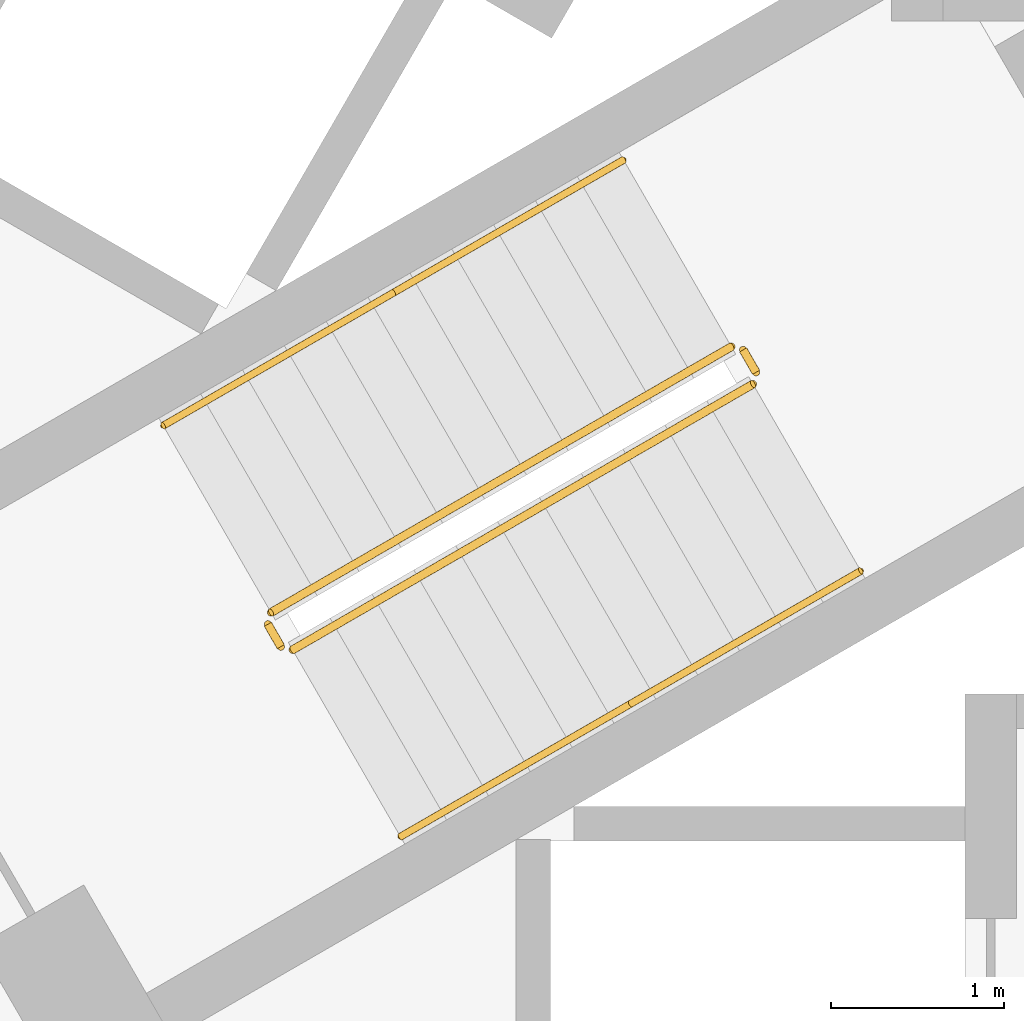
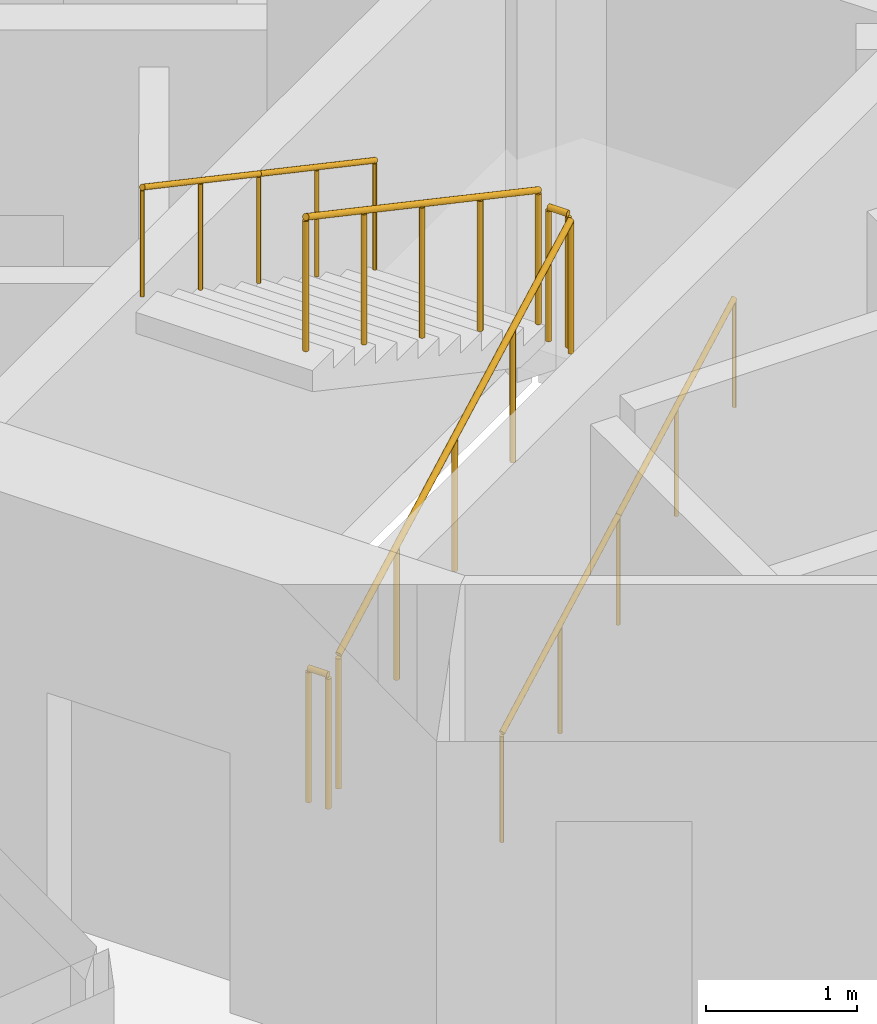
# One storey, part 10 of 14: 8 railings.
"""IFC4 building model written with IfcOpenShell, lengths in metres."""

from ifc_helpers import new_model, si_unit, direction, frame, origin, origin_2d, place, context, subcontext, project, spatial, circle, extrude, material, type_object, element, save


model = new_model("IFC4")

# Units and contexts
model_context = context("Model", 3, precision=1e-05, world=origin(), true_north=direction((0.0, 1.0)))
body_context = subcontext(model_context, "Body", "Model", "MODEL_VIEW")
ifc_project = project(units=[si_unit("LENGTHUNIT", "METRE"), si_unit("AREAUNIT", "SQUARE_METRE"), si_unit("VOLUMEUNIT", "CUBIC_METRE"), si_unit("PLANEANGLEUNIT", "RADIAN"), si_unit("MASSUNIT", "GRAM", prefix="KILO")], contexts=[model_context])

# Site, building, storey
site_placement = place(None, origin())
site = spatial("IfcSite", under=ifc_project, at=site_placement, CompositionType="ELEMENT")
building_placement = place(site_placement, origin())
building = spatial("IfcBuilding", under=site, at=building_placement, Name="Trine Commons Tower", CompositionType="ELEMENT")
storey_placement = place(building_placement, frame((0.0, 0.0, 245.699951171875)))
storey = spatial("IfcBuildingStorey", under=building, at=storey_placement, Name="L64", CompositionType="ELEMENT", Elevation=245.699951171875)

# Railings
ifc_material_1 = material(Name="Stainless steel balustrade", Category="steel")
railing_type_1 = type_object("IfcRailingType", Name="Stair guard, steel balustrade 1100", PredefinedType="GUARDRAIL", material=ifc_material_1)
railing_1_placement = place(storey_placement, frame((74.80517578125, 59.3564453125, 0.150146484375)))
element("IfcRailing", 1, at=railing_1_placement, inside=storey, type_object=railing_type_1, Name="L64 ST2C stair guard 1", PredefinedType="GUARDRAIL", context=body_context, shape_type="SweptSolid", body=[
    extrude(circle(Radius=0.02392578125, at=origin_2d()), frame((0.0, 0.0, 1.076171875), z_axis=(0.76340495495, 0.440743040072, 0.472184759798), x_axis=(-0.499992328818, 0.866029832698, 0.0)), (0.0, 0.0, 1.0), 3.494140625),
    extrude(circle(Radius=0.02099609375, at=origin_2d()), origin(), (0.0, 0.0, 1.0), 1.052001953125),
    extrude(circle(Radius=0.02099609375, at=origin_2d()), frame((0.6669921875, 0.385009765625, 0.41259765625)), (0.0, 0.0, 1.0), 1.052001953125),
    extrude(circle(Radius=0.02099609375, at=origin_2d()), frame((1.333740234375, 0.77001953125, 0.824951171875)), (0.0, 0.0, 1.0), 1.052001953125),
    extrude(circle(Radius=0.02099609375, at=origin_2d()), frame((2.00048828125, 1.155029296875, 1.2373046875)), (0.0, 0.0, 1.0), 1.052001953125),
    extrude(circle(Radius=0.02099609375, at=origin_2d()), frame((2.66748046875, 1.5400390625, 1.64990234375)), (0.0, 0.0, 1.0), 1.052001953125),
])
railing_2_placement = place(storey_placement, frame((77.490966796875, 60.96484375, 1.800048828125)))
element("IfcRailing", 2, at=railing_2_placement, inside=storey, type_object=railing_type_1, Name="L64 ST2C stair guard 2", PredefinedType="GUARDRAIL", context=body_context, shape_type="SweptSolid", body=[
    extrude(circle(Radius=0.02392578125, at=origin_2d()), frame((0.0, 0.0, 1.076171875), z_axis=(-0.501036270542, 0.865426285481, 0.0), x_axis=(-0.865426285481, -0.501036270542, 0.0)), (0.0, 0.0, 1.0), 0.150146484375),
    extrude(circle(Radius=0.02099609375, at=origin_2d()), origin(), (0.0, 0.0, 1.0), 1.052001953125),
    extrude(circle(Radius=0.02099609375, at=origin_2d()), frame((-0.0751953125, 0.1298828125, 0.0)), (0.0, 0.0, 1.0), 1.052001953125),
])
railing_3_placement = place(storey_placement, frame((77.34765625, 61.113037109375, 1.949951171875)))
element("IfcRailing", 3, at=railing_3_placement, inside=storey, type_object=railing_type_1, Name="L64 ST2C stair guard 3", PredefinedType="GUARDRAIL", context=body_context, shape_type="SweptSolid", body=[
    extrude(circle(Radius=0.02392578125, at=origin_2d()), frame((0.0, 0.0, 1.076171875), z_axis=(-0.763379768245, -0.440728498818, 0.472239049384), x_axis=(0.499992328818, -0.866029832698, 0.0)), (0.0, 0.0, 1.0), 3.494384765625),
    extrude(circle(Radius=0.02099609375, at=origin_2d()), origin(), (0.0, 0.0, 1.0), 1.052001953125),
    extrude(circle(Radius=0.02099609375, at=origin_2d()), frame((-0.6669921875, -0.385009765625, 0.41259765625)), (0.0, 0.0, 1.0), 1.052001953125),
    extrude(circle(Radius=0.02099609375, at=origin_2d()), frame((-1.333740234375, -0.77001953125, 0.8251953125)), (0.0, 0.0, 1.0), 1.052001953125),
    extrude(circle(Radius=0.02099609375, at=origin_2d()), frame((-2.00048828125, -1.155029296875, 1.237548828125)), (0.0, 0.0, 1.0), 1.052001953125),
    extrude(circle(Radius=0.02099609375, at=origin_2d()), frame((-2.66748046875, -1.5400390625, 1.650146484375)), (0.0, 0.0, 1.0), 1.052001953125),
])
railing_4_placement = place(storey_placement, frame((74.73681640625, 59.374755859375, 0.0)))
element("IfcRailing", 4, at=railing_4_placement, inside=storey, type_object=railing_type_1, Name="L64 ST2C stair guard 4", PredefinedType="GUARDRAIL", context=body_context, shape_type="SweptSolid", body=[
    extrude(circle(Radius=0.02392578125, at=origin_2d()), frame((0.0, 0.0, 1.076171875), z_axis=(-0.499816412211, 0.866131372301, 0.0), x_axis=(-0.866131372301, -0.499816412211, 0.0)), (0.0, 0.0, 1.0), 0.14990234375),
    extrude(circle(Radius=0.02099609375, at=origin_2d()), origin(), (0.0, 0.0, 1.0), 1.052001953125),
    extrude(circle(Radius=0.02099609375, at=origin_2d()), frame((-0.074951171875, 0.1298828125, 0.0)), (0.0, 0.0, 1.0), 1.052001953125),
])
ifc_material_2 = material(Name="Stainless steel handrail", Category="steel")
railing_type_2 = type_object("IfcRailingType", Name="Stair handrail, steel 900", PredefinedType="HANDRAIL", material=ifc_material_2)
for number, where, name in (
    (5, (75.43017578125, 58.27392578125, 0.150146484375), "L64 ST2C stair handrail 1"),
    (6, (76.763916015625, 59.0439453125, 0.97509765625), "L64 ST2C stair handrail 2"),
):
    element("IfcRailing", number, at=place(storey_placement, frame(where)), inside=storey, type_object=railing_type_2, Name=name, PredefinedType="HANDRAIL", context=body_context, shape_type="SweptSolid", body=[
        extrude(circle(Radius=0.02099609375, at=origin_2d()), frame((0.0, 0.0, 0.87890625), z_axis=(0.76340495495, 0.440743040072, 0.472184759798), x_axis=(-0.499992328818, 0.866029832698, 0.0)), (0.0, 0.0, 1.0), 1.7470703125),
        extrude(circle(Radius=0.01513671875, at=origin_2d()), origin(), (0.0, 0.0, 1.0), 0.85791015625),
        extrude(circle(Radius=0.01513671875, at=origin_2d()), frame((0.6669921875, 0.385009765625, 0.41259765625)), (0.0, 0.0, 1.0), 0.85791015625),
        extrude(circle(Radius=0.01513671875, at=origin_2d()), frame((1.333740234375, 0.77001953125, 0.824951171875)), (0.0, 0.0, 1.0), 0.85791015625),
    ])
railing_5_placement = place(storey_placement, frame((76.72265625, 62.195556640625, 1.949951171875)))
element("IfcRailing", 7, at=railing_5_placement, inside=storey, type_object=railing_type_2, Name="L64 ST2C stair handrail 3", PredefinedType="HANDRAIL", context=body_context, shape_type="SweptSolid", body=[
    extrude(circle(Radius=0.02099609375, at=origin_2d()), frame((0.0, 0.0, 0.87890625), z_axis=(-0.763354580307, -0.440713956853, 0.472293333596), x_axis=(0.499992328818, -0.866029832698, 0.0)), (0.0, 0.0, 1.0), 1.747314453125),
    extrude(circle(Radius=0.01513671875, at=origin_2d()), origin(), (0.0, 0.0, 1.0), 0.85791015625),
    extrude(circle(Radius=0.01513671875, at=origin_2d()), frame((-0.6669921875, -0.385009765625, 0.41259765625)), (0.0, 0.0, 1.0), 0.85791015625),
    extrude(circle(Radius=0.01513671875, at=origin_2d()), frame((-1.333740234375, -0.77001953125, 0.8251953125)), (0.0, 0.0, 1.0), 0.85791015625),
])
railing_6_placement = place(storey_placement, frame((75.388916015625, 61.425537109375, 2.775146484375)))
element("IfcRailing", 8, at=railing_6_placement, inside=storey, type_object=railing_type_2, Name="L64 ST2C stair handrail 4", PredefinedType="HANDRAIL", context=body_context, shape_type="SweptSolid", body=[
    extrude(circle(Radius=0.02099609375, at=origin_2d()), frame((0.0, 0.0, 0.87890625), z_axis=(-0.76340495495, -0.440743040072, 0.472184759798), x_axis=(0.499992328818, -0.866029832698, 0.0)), (0.0, 0.0, 1.0), 1.7470703125),
    extrude(circle(Radius=0.01513671875, at=origin_2d()), origin(), (0.0, 0.0, 1.0), 0.85791015625),
    extrude(circle(Radius=0.01513671875, at=origin_2d()), frame((-0.6669921875, -0.385009765625, 0.41259765625)), (0.0, 0.0, 1.0), 0.85791015625),
    extrude(circle(Radius=0.01513671875, at=origin_2d()), frame((-1.333740234375, -0.77001953125, 0.824951171875)), (0.0, 0.0, 1.0), 0.85791015625),
])

save(model, "model.ifc")
